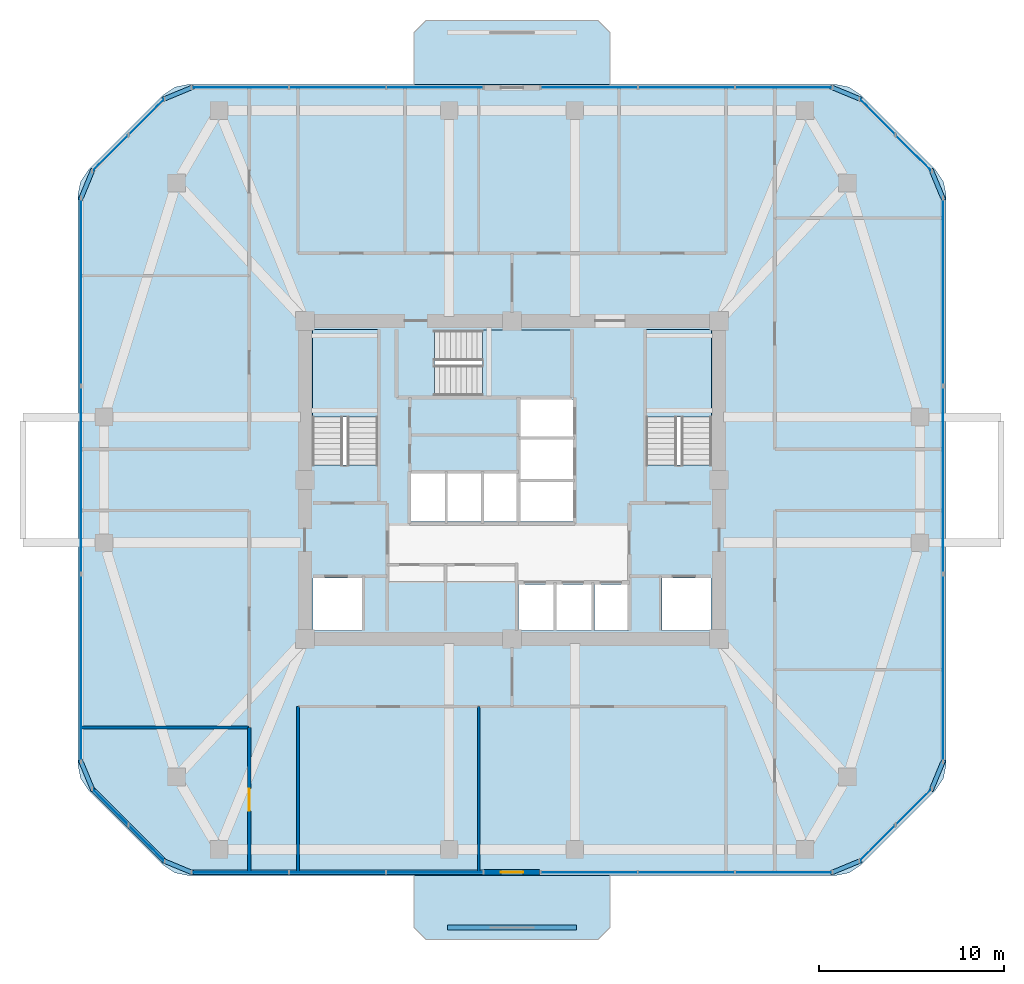
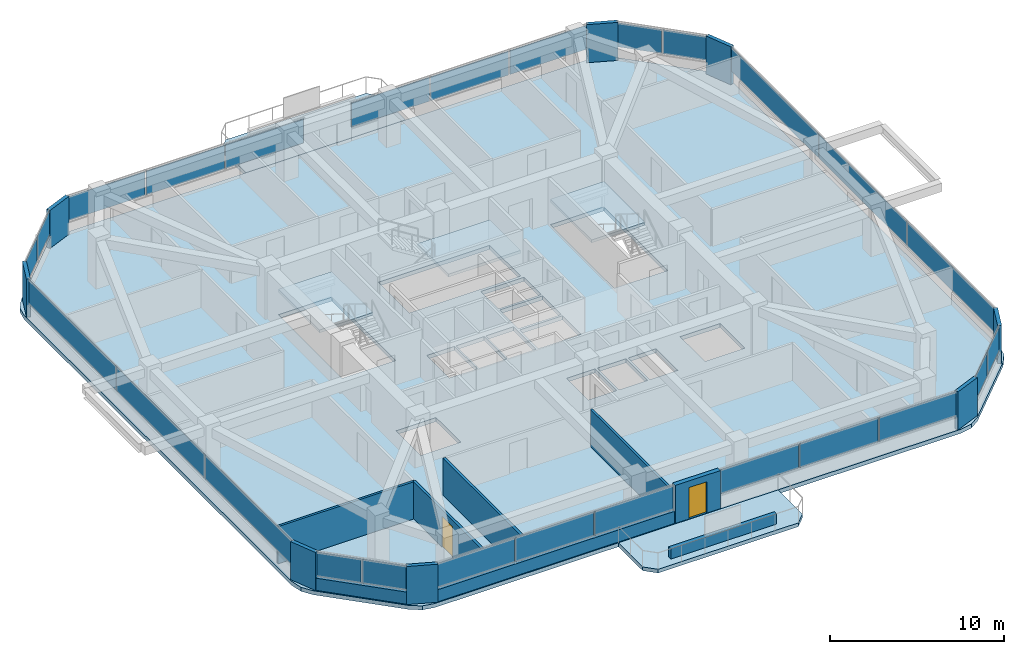
# One storey, part 6 of 11: 34 plates, 8 walls, 6 slabs, 2 doors, 2 openings, 13 elements without a shape of their own.
"""IFC4 building model written with IfcOpenShell, lengths in metres."""

from ifc_helpers import new_model, si_unit, derived_unit, direction, frame, frame_2d, origin, origin_2d, place, context, subcontext, project, spatial, polyline, rectangle, outline, extrude, material, layer, layer_set, type_object, element, fill, aggregate, save


model = new_model("IFC4")

# Units and contexts
model_context = context("Model", 3, precision=1e-05, world=origin(), true_north=direction((0.0, 1.0)))
body_context = subcontext(model_context, "Body", "Model", "MODEL_VIEW")
ifc_project = project(units=[si_unit("LENGTHUNIT", "METRE"), si_unit("AREAUNIT", "SQUARE_METRE"), si_unit("VOLUMEUNIT", "CUBIC_METRE"), si_unit("PLANEANGLEUNIT", "RADIAN"), si_unit("MASSUNIT", "GRAM", prefix="KILO"), derived_unit("THERMALTRANSMITTANCEUNIT", [(si_unit("POWERUNIT", "WATT"), 1), (si_unit("LENGTHUNIT", "METRE"), -2), (si_unit("THERMODYNAMICTEMPERATUREUNIT", "KELVIN"), -1)])], contexts=[model_context])

# Site, building, storey
site_placement = place(None, origin())
site = spatial("IfcSite", under=ifc_project, at=site_placement, CompositionType="ELEMENT")
building_placement = place(site_placement, origin())
building = spatial("IfcBuilding", under=site, at=building_placement, Name="Koralith Skygarden Medical Center", CompositionType="ELEMENT")
storey_placement = place(building_placement, frame((0.0, 0.0, 167.219970703125)))
storey = spatial("IfcBuildingStorey", under=building, at=storey_placement, Name="L43", CompositionType="ELEMENT", Elevation=167.219970703125)

# Curtain wall, plates
ifc_material_1 = material(Name="Clear Laminated Glass", Category="glass")
curtain_wall_type = type_object("IfcCurtainWallType", Name="CW-4 Zone 3 Waist High-Wind Curtain Wall", PredefinedType="NOTDEFINED", material=ifc_material_1)
curtain_wall_1_placement = place(storey_placement, origin())
curtain_wall_1 = element("IfcCurtainWall", 1, at=curtain_wall_1_placement, inside=storey, type_object=curtain_wall_type, Name="Curtain Wall CW-L43-S-L", PredefinedType="NOTDEFINED")
ifc_layer_1 = layer(ifc_material_1, 0.035888671875)
ifc_layer_set_1 = layer_set([ifc_layer_1], Name="Clear Laminated Glass")
plate_type_1 = type_object("IfcPlateType", Name="CW-4 Hurricane Laminated IGU Panel 36", PredefinedType="CURTAIN_PANEL", material=ifc_layer_set_1)
plate_1_placement = place(storey_placement, frame((22.302001953125, 4.679931640625, 0.919921875), z_axis=(0.0, 0.0, 1.0), x_axis=(1.0, 0.0, 0.0)))
plate_1 = element("IfcPlate", 2, at=plate_1_placement, type_object=plate_type_1, Name="CW-L43-S-L Glazed Panel 1", PredefinedType="CURTAIN_PANEL", context=body_context, shape_type="SweptSolid", body=[
    extrude(rectangle(XDim=5.173095703125, YDim=0.035888671875, at=origin_2d()), origin(), (0.0, 0.0, 1.0), 1.679931640625),
])
plate_2_placement = place(storey_placement, frame((27.56494140625, 4.679931640625, 0.919921875), z_axis=(0.0, 0.0, 1.0), x_axis=(1.0, 0.0, 0.0)))
plate_2 = element("IfcPlate", 3, at=plate_2_placement, type_object=plate_type_1, Name="CW-L43-S-L Glazed Panel 2", PredefinedType="CURTAIN_PANEL", context=body_context, shape_type="SweptSolid", body=[
    extrude(rectangle(XDim=5.173095703125, YDim=0.035888671875, at=origin_2d()), origin(), (0.0, 0.0, 1.0), 1.679931640625),
])
plate_3_placement = place(storey_placement, frame((32.827880859375, 4.679931640625, 0.919921875), z_axis=(0.0, 0.0, 1.0), x_axis=(1.0, 0.0, 0.0)))
plate_3 = element("IfcPlate", 4, at=plate_3_placement, type_object=plate_type_1, Name="CW-L43-S-L Glazed Panel 3", PredefinedType="CURTAIN_PANEL", context=body_context, shape_type="SweptSolid", body=[
    extrude(rectangle(XDim=5.173095703125, YDim=0.035888671875, at=origin_2d()), origin(), (0.0, 0.0, 1.0), 1.679931640625),
])
aggregate(curtain_wall_1, [plate_1, plate_2, plate_3])

curtain_wall_2_placement = place(storey_placement, origin())
curtain_wall_2 = element("IfcCurtainWall", 5, at=curtain_wall_2_placement, inside=storey, type_object=curtain_wall_type, Name="Curtain Wall CW-L43-S-R", PredefinedType="NOTDEFINED")
plate_4_placement = place(storey_placement, frame((41.1708984375, 4.679931640625, 0.919921875), z_axis=(0.0, 0.0, 1.0), x_axis=(1.0, 0.0, 0.0)))
plate_4 = element("IfcPlate", 6, at=plate_4_placement, type_object=plate_type_1, Name="CW-L43-S-R Glazed Panel 1", PredefinedType="CURTAIN_PANEL", context=body_context, shape_type="SweptSolid", body=[
    extrude(rectangle(XDim=5.173095703125, YDim=0.035888671875, at=origin_2d()), origin(), (0.0, 0.0, 1.0), 1.679931640625),
])
plate_5_placement = place(storey_placement, frame((46.43408203125, 4.679931640625, 0.919921875), z_axis=(0.0, 0.0, 1.0), x_axis=(1.0, 0.0, 0.0)))
plate_5 = element("IfcPlate", 7, at=plate_5_placement, type_object=plate_type_1, Name="CW-L43-S-R Glazed Panel 2", PredefinedType="CURTAIN_PANEL", context=body_context, shape_type="SweptSolid", body=[
    extrude(rectangle(XDim=5.173095703125, YDim=0.035888671875, at=origin_2d()), origin(), (0.0, 0.0, 1.0), 1.679931640625),
])
plate_6_placement = place(storey_placement, frame((51.697021484375, 4.679931640625, 0.919921875), z_axis=(0.0, 0.0, 1.0), x_axis=(1.0, 0.0, 0.0)))
plate_6 = element("IfcPlate", 8, at=plate_6_placement, type_object=plate_type_1, Name="CW-L43-S-R Glazed Panel 3", PredefinedType="CURTAIN_PANEL", context=body_context, shape_type="SweptSolid", body=[
    extrude(rectangle(XDim=5.173095703125, YDim=0.035888671875, at=origin_2d()), origin(), (0.0, 0.0, 1.0), 1.679931640625),
])
aggregate(curtain_wall_2, [plate_4, plate_5, plate_6])

curtain_wall_3_placement = place(storey_placement, origin())
curtain_wall_3 = element("IfcCurtainWall", 9, at=curtain_wall_3_placement, inside=storey, type_object=curtain_wall_type, Name="Curtain Wall CW-L43-SE", PredefinedType="NOTDEFINED")
plate_7_placement = place(storey_placement, frame((56.760986328125, 6.261962890625, 0.919921875), z_axis=(0.0, 0.0, 1.0), x_axis=(0.707106781187, 0.707106781187, 0.0)))
plate_7 = element("IfcPlate", 10, at=plate_7_placement, type_object=plate_type_1, Name="CW-L43-SE Glazed Panel 1", PredefinedType="CURTAIN_PANEL", context=body_context, shape_type="SweptSolid", body=[
    extrude(rectangle(XDim=2.68408203125, YDim=0.035888671875, at=origin_2d()), origin(), (0.0, 0.0, 1.0), 1.679931640625),
])
plate_8_placement = place(storey_placement, frame((58.721923828125, 8.222900390625, 0.919921875), z_axis=(0.0, 0.0, 1.0), x_axis=(0.707106781187, 0.707106781187, 0.0)))
plate_8 = element("IfcPlate", 11, at=plate_8_placement, type_object=plate_type_1, Name="CW-L43-SE Glazed Panel 2", PredefinedType="CURTAIN_PANEL", context=body_context, shape_type="SweptSolid", body=[
    extrude(rectangle(XDim=2.68408203125, YDim=0.035888671875, at=origin_2d()), origin(), (0.0, 0.0, 1.0), 1.679931640625),
])
aggregate(curtain_wall_3, [plate_7, plate_8])

curtain_wall_4_placement = place(storey_placement, origin())
curtain_wall_4 = element("IfcCurtainWall", 12, at=curtain_wall_4_placement, inside=storey, type_object=curtain_wall_type, Name="Curtain Wall CW-L43-E", PredefinedType="NOTDEFINED")
plate_9_placement = place(storey_placement, frame((60.303955078125, 15.737060546875, 0.919921875), z_axis=(0.0, 0.0, 1.0), x_axis=(0.0, 1.0, 0.0)))
plate_9 = element("IfcPlate", 13, at=plate_9_placement, type_object=plate_type_1, Name="CW-L43-E Glazed Panel 1", PredefinedType="CURTAIN_PANEL", context=body_context, shape_type="SweptSolid", body=[
    extrude(rectangle(XDim=10.072998046875, YDim=0.035888671875, at=origin_2d()), origin(), (0.0, 0.0, 1.0), 1.679931640625),
])
plate_10_placement = place(storey_placement, frame((60.303955078125, 25.89990234375, 0.919921875), z_axis=(0.0, 0.0, 1.0), x_axis=(0.0, 1.0, 0.0)))
plate_10 = element("IfcPlate", 14, at=plate_10_placement, type_object=plate_type_1, Name="CW-L43-E Glazed Panel 2", PredefinedType="CURTAIN_PANEL", context=body_context, shape_type="SweptSolid", body=[
    extrude(rectangle(XDim=10.072998046875, YDim=0.035888671875, at=origin_2d()), origin(), (0.0, 0.0, 1.0), 1.679931640625),
])
plate_11_placement = place(storey_placement, frame((60.303955078125, 36.06298828125, 0.919921875), z_axis=(0.0, 0.0, 1.0), x_axis=(0.0, 1.0, 0.0)))
plate_11 = element("IfcPlate", 15, at=plate_11_placement, type_object=plate_type_1, Name="CW-L43-E Glazed Panel 3", PredefinedType="CURTAIN_PANEL", context=body_context, shape_type="SweptSolid", body=[
    extrude(rectangle(XDim=10.072998046875, YDim=0.035888671875, at=origin_2d()), origin(), (0.0, 0.0, 1.0), 1.679931640625),
])
aggregate(curtain_wall_4, [plate_9, plate_10, plate_11])

curtain_wall_5_placement = place(storey_placement, origin())
curtain_wall_5 = element("IfcCurtainWall", 16, at=curtain_wall_5_placement, inside=storey, type_object=curtain_wall_type, Name="Curtain Wall CW-L43-NE", PredefinedType="NOTDEFINED")
plate_12_placement = place(storey_placement, frame((58.721923828125, 43.576904296875, 0.919921875), z_axis=(0.0, 0.0, 1.0), x_axis=(-0.707106781187, 0.707106781187, 0.0)))
plate_12 = element("IfcPlate", 17, at=plate_12_placement, type_object=plate_type_1, Name="CW-L43-NE Glazed Panel 1", PredefinedType="CURTAIN_PANEL", context=body_context, shape_type="SweptSolid", body=[
    extrude(rectangle(XDim=2.68408203125, YDim=0.035888671875, at=origin_2d()), origin(), (0.0, 0.0, 1.0), 1.679931640625),
])
plate_13_placement = place(storey_placement, frame((56.760986328125, 45.5380859375, 0.919921875), z_axis=(0.0, 0.0, 1.0), x_axis=(-0.707106781187, 0.707106781187, 0.0)))
plate_13 = element("IfcPlate", 18, at=plate_13_placement, type_object=plate_type_1, Name="CW-L43-NE Glazed Panel 2", PredefinedType="CURTAIN_PANEL", context=body_context, shape_type="SweptSolid", body=[
    extrude(rectangle(XDim=2.68408203125, YDim=0.035888671875, at=origin_2d()), origin(), (0.0, 0.0, 1.0), 1.679931640625),
])
aggregate(curtain_wall_5, [plate_12, plate_13])

curtain_wall_6_placement = place(storey_placement, origin())
curtain_wall_6 = element("IfcCurtainWall", 19, at=curtain_wall_6_placement, inside=storey, type_object=curtain_wall_type, Name="Curtain Wall CW-L43-N-L", PredefinedType="NOTDEFINED")
plate_14_placement = place(storey_placement, frame((51.697998046875, 47.1201171875, 0.919921875), z_axis=(0.0, 0.0, 1.0), x_axis=(-1.0, 0.0, 0.0)))
plate_14 = element("IfcPlate", 20, at=plate_14_placement, type_object=plate_type_1, Name="CW-L43-N-L Glazed Panel 1", PredefinedType="CURTAIN_PANEL", context=body_context, shape_type="SweptSolid", body=[
    extrude(rectangle(XDim=5.173095703125, YDim=0.035888671875, at=origin_2d()), origin(), (0.0, 0.0, 1.0), 1.679931640625),
])
plate_15_placement = place(storey_placement, frame((46.43505859375, 47.1201171875, 0.919921875), z_axis=(0.0, 0.0, 1.0), x_axis=(-1.0, 0.0, 0.0)))
plate_15 = element("IfcPlate", 21, at=plate_15_placement, type_object=plate_type_1, Name="CW-L43-N-L Glazed Panel 2", PredefinedType="CURTAIN_PANEL", context=body_context, shape_type="SweptSolid", body=[
    extrude(rectangle(XDim=5.173095703125, YDim=0.035888671875, at=origin_2d()), origin(), (0.0, 0.0, 1.0), 1.679931640625),
])
plate_16_placement = place(storey_placement, frame((41.172119140625, 47.1201171875, 0.919921875), z_axis=(0.0, 0.0, 1.0), x_axis=(-1.0, 0.0, 0.0)))
plate_16 = element("IfcPlate", 22, at=plate_16_placement, type_object=plate_type_1, Name="CW-L43-N-L Glazed Panel 3", PredefinedType="CURTAIN_PANEL", context=body_context, shape_type="SweptSolid", body=[
    extrude(rectangle(XDim=5.173095703125, YDim=0.035888671875, at=origin_2d()), origin(), (0.0, 0.0, 1.0), 1.679931640625),
])
aggregate(curtain_wall_6, [plate_14, plate_15, plate_16])

curtain_wall_7_placement = place(storey_placement, origin())
curtain_wall_7 = element("IfcCurtainWall", 23, at=curtain_wall_7_placement, inside=storey, type_object=curtain_wall_type, Name="Curtain Wall CW-L43-N-R", PredefinedType="NOTDEFINED")
plate_17_placement = place(storey_placement, frame((32.8291015625, 47.1201171875, 0.919921875), z_axis=(0.0, 0.0, 1.0), x_axis=(-1.0, 0.0, 0.0)))
plate_17 = element("IfcPlate", 24, at=plate_17_placement, type_object=plate_type_1, Name="CW-L43-N-R Glazed Panel 1", PredefinedType="CURTAIN_PANEL", context=body_context, shape_type="SweptSolid", body=[
    extrude(rectangle(XDim=5.173095703125, YDim=0.035888671875, at=origin_2d()), origin(), (0.0, 0.0, 1.0), 1.679931640625),
])
plate_18_placement = place(storey_placement, frame((27.56591796875, 47.1201171875, 0.919921875), z_axis=(0.0, 0.0, 1.0), x_axis=(-1.0, 0.0, 0.0)))
plate_18 = element("IfcPlate", 25, at=plate_18_placement, type_object=plate_type_1, Name="CW-L43-N-R Glazed Panel 2", PredefinedType="CURTAIN_PANEL", context=body_context, shape_type="SweptSolid", body=[
    extrude(rectangle(XDim=5.173095703125, YDim=0.035888671875, at=origin_2d()), origin(), (0.0, 0.0, 1.0), 1.679931640625),
])
plate_19_placement = place(storey_placement, frame((22.302978515625, 47.1201171875, 0.919921875), z_axis=(0.0, 0.0, 1.0), x_axis=(-1.0, 0.0, 0.0)))
plate_19 = element("IfcPlate", 26, at=plate_19_placement, type_object=plate_type_1, Name="CW-L43-N-R Glazed Panel 3", PredefinedType="CURTAIN_PANEL", context=body_context, shape_type="SweptSolid", body=[
    extrude(rectangle(XDim=5.173095703125, YDim=0.035888671875, at=origin_2d()), origin(), (0.0, 0.0, 1.0), 1.679931640625),
])
aggregate(curtain_wall_7, [plate_17, plate_18, plate_19])

curtain_wall_8_placement = place(storey_placement, origin())
curtain_wall_8 = element("IfcCurtainWall", 27, at=curtain_wall_8_placement, inside=storey, type_object=curtain_wall_type, Name="Curtain Wall CW-L43-NW", PredefinedType="NOTDEFINED")
plate_20_placement = place(storey_placement, frame((17.239013671875, 45.5380859375, 0.919921875), z_axis=(0.0, 0.0, 1.0), x_axis=(-0.707106781187, -0.707106781187, 0.0)))
plate_20 = element("IfcPlate", 28, at=plate_20_placement, type_object=plate_type_1, Name="CW-L43-NW Glazed Panel 1", PredefinedType="CURTAIN_PANEL", context=body_context, shape_type="SweptSolid", body=[
    extrude(rectangle(XDim=2.68408203125, YDim=0.035888671875, at=origin_2d()), origin(), (0.0, 0.0, 1.0), 1.679931640625),
])
plate_21_placement = place(storey_placement, frame((15.278076171875, 43.576904296875, 0.919921875), z_axis=(0.0, 0.0, 1.0), x_axis=(-0.707106781187, -0.707106781187, 0.0)))
plate_21 = element("IfcPlate", 29, at=plate_21_placement, type_object=plate_type_1, Name="CW-L43-NW Glazed Panel 2", PredefinedType="CURTAIN_PANEL", context=body_context, shape_type="SweptSolid", body=[
    extrude(rectangle(XDim=2.68408203125, YDim=0.035888671875, at=origin_2d()), origin(), (0.0, 0.0, 1.0), 1.679931640625),
])
aggregate(curtain_wall_8, [plate_20, plate_21])

curtain_wall_9_placement = place(storey_placement, origin())
curtain_wall_9 = element("IfcCurtainWall", 30, at=curtain_wall_9_placement, inside=storey, type_object=curtain_wall_type, Name="Curtain Wall CW-L43-W", PredefinedType="NOTDEFINED")
plate_22_placement = place(storey_placement, frame((13.696044921875, 36.06298828125, 0.919921875), z_axis=(0.0, 0.0, 1.0), x_axis=(0.0, -1.0, 0.0)))
plate_22 = element("IfcPlate", 31, at=plate_22_placement, type_object=plate_type_1, Name="CW-L43-W Glazed Panel 1", PredefinedType="CURTAIN_PANEL", context=body_context, shape_type="SweptSolid", body=[
    extrude(rectangle(XDim=10.072998046875, YDim=0.035888671875, at=origin_2d()), origin(), (0.0, 0.0, 1.0), 1.679931640625),
])
plate_23_placement = place(storey_placement, frame((13.696044921875, 25.89990234375, 0.919921875), z_axis=(0.0, 0.0, 1.0), x_axis=(0.0, -1.0, 0.0)))
plate_23 = element("IfcPlate", 32, at=plate_23_placement, type_object=plate_type_1, Name="CW-L43-W Glazed Panel 2", PredefinedType="CURTAIN_PANEL", context=body_context, shape_type="SweptSolid", body=[
    extrude(rectangle(XDim=10.072998046875, YDim=0.035888671875, at=origin_2d()), origin(), (0.0, 0.0, 1.0), 1.679931640625),
])
plate_24_placement = place(storey_placement, frame((13.696044921875, 15.737060546875, 0.919921875), z_axis=(0.0, 0.0, 1.0), x_axis=(0.0, -1.0, 0.0)))
plate_24 = element("IfcPlate", 33, at=plate_24_placement, type_object=plate_type_1, Name="CW-L43-W Glazed Panel 3", PredefinedType="CURTAIN_PANEL", context=body_context, shape_type="SweptSolid", body=[
    extrude(rectangle(XDim=10.072998046875, YDim=0.035888671875, at=origin_2d()), origin(), (0.0, 0.0, 1.0), 1.679931640625),
])
aggregate(curtain_wall_9, [plate_22, plate_23, plate_24])

curtain_wall_10_placement = place(storey_placement, origin())
curtain_wall_10 = element("IfcCurtainWall", 34, at=curtain_wall_10_placement, inside=storey, type_object=curtain_wall_type, Name="Curtain Wall CW-L43-SW", PredefinedType="NOTDEFINED")
plate_25_placement = place(storey_placement, frame((15.278076171875, 8.222900390625, 0.919921875), z_axis=(0.0, 0.0, 1.0), x_axis=(0.707106781187, -0.707106781187, 0.0)))
plate_25 = element("IfcPlate", 35, at=plate_25_placement, type_object=plate_type_1, Name="CW-L43-SW Glazed Panel 1", PredefinedType="CURTAIN_PANEL", context=body_context, shape_type="SweptSolid", body=[
    extrude(rectangle(XDim=2.68408203125, YDim=0.035888671875, at=origin_2d()), origin(), (0.0, 0.0, 1.0), 1.679931640625),
])
plate_26_placement = place(storey_placement, frame((17.239013671875, 6.261962890625, 0.919921875), z_axis=(0.0, 0.0, 1.0), x_axis=(0.707106781187, -0.707106781187, 0.0)))
plate_26 = element("IfcPlate", 36, at=plate_26_placement, type_object=plate_type_1, Name="CW-L43-SW Glazed Panel 2", PredefinedType="CURTAIN_PANEL", context=body_context, shape_type="SweptSolid", body=[
    extrude(rectangle(XDim=2.68408203125, YDim=0.035888671875, at=origin_2d()), origin(), (0.0, 0.0, 1.0), 1.679931640625),
])
aggregate(curtain_wall_10, [plate_25, plate_26])

# Slabs
ifc_material_2 = material(Name="Concrete C45/55", Category="concrete")
ifc_layer_2 = layer(ifc_material_2, 0.260009765625)
ifc_layer_set_2 = layer_set([ifc_layer_2], Name="Concrete C45/55")
slab_type_1 = type_object("IfcSlabType", Name="Cantilevered Planted Balcony Slab 260", PredefinedType="FLOOR", material=ifc_layer_set_2)
slab_1_placement = place(storey_placement, frame((0.0, 0.0, -0.260009765625)))
element("IfcSlab", 37, at=slab_1_placement, inside=storey, type_object=slab_type_1, Name="L43 N Planted Sky-Garden Balcony Slab", PredefinedType="FLOOR", context=body_context, shape_type="SweptSolid", body=[
    extrude(outline(polyline([(31.699951171875, 47.300048828125), (42.300048828125, 47.300048828125), (42.300048828125, 50.10009765625), (41.64990234375, 50.75), (32.35009765625, 50.75), (31.699951171875, 50.10009765625), (31.699951171875, 47.300048828125)])), origin(), (0.0, 0.0, 1.0), 0.260009765625),
])
slab_2_placement = place(storey_placement, frame((0.0, 0.0, -0.260009765625)))
element("IfcSlab", 38, at=slab_2_placement, inside=storey, type_object=slab_type_1, Name="L43 S Planted Sky-Garden Balcony Slab", PredefinedType="FLOOR", context=body_context, shape_type="SweptSolid", body=[
    extrude(outline(polyline([(32.35009765625, 1.050048828125), (41.64990234375, 1.050048828125), (42.300048828125, 1.699951171875), (42.300048828125, 4.5), (31.699951171875, 4.5), (31.699951171875, 1.699951171875), (32.35009765625, 1.050048828125)])), origin(), (0.0, 0.0, 1.0), 0.260009765625),
])

# Stair, slab
stair_type = type_object("IfcStairType", Name="Core Exit Dogleg Concrete Stair", PredefinedType="HALF_TURN_STAIR", material=ifc_material_2)
stair_1_placement = place(storey_placement, origin())
stair_1 = element("IfcStair", 39, at=stair_1_placement, inside=storey, type_object=stair_type, Name="L43 Smokeproof Exit Stair ST1", PredefinedType="HALF_TURN_STAIR")
ifc_layer_3 = layer(ifc_material_2, 0.199951171875)
ifc_layer_set_3 = layer_set([ifc_layer_3], Name="Concrete C45/55")
slab_type_2 = type_object("IfcSlabType", Name="Core Exit Concrete Stair Landing 200", PredefinedType="LANDING", material=ifc_layer_set_3)
slab_3_placement = place(storey_placement, frame((0.0, 0.0, 1.60009765625)))
slab_3 = element("IfcSlab", 40, at=slab_3_placement, type_object=slab_type_2, Name="ST1 landing 1", PredefinedType="LANDING", context=body_context, shape_type="SweptSolid", body=[
    extrude(outline(polyline([(29.75, 29.31005859375), (29.75, 34.050048828125), (26.199951171875, 34.050048828125), (26.199951171875, 29.31005859375), (29.75, 29.31005859375)])), origin(), (0.0, 0.0, 1.0), 0.199951171875),
])
aggregate(stair_1, [slab_3])

stair_2_placement = place(storey_placement, origin())
stair_2 = element("IfcStair", 41, at=stair_2_placement, inside=storey, type_object=stair_type, Name="L43 Smokeproof Exit Stair ST2", PredefinedType="HALF_TURN_STAIR")
slab_4_placement = place(storey_placement, frame((0.0, 0.0, 1.60009765625)))
slab_4 = element("IfcSlab", 42, at=slab_4_placement, type_object=slab_type_2, Name="ST2 landing 1", PredefinedType="LANDING", context=body_context, shape_type="SweptSolid", body=[
    extrude(outline(polyline([(47.800048828125, 29.31005859375), (47.800048828125, 34.050048828125), (44.25, 34.050048828125), (44.25, 29.31005859375), (47.800048828125, 29.31005859375)])), origin(), (0.0, 0.0, 1.0), 0.199951171875),
])
aggregate(stair_2, [slab_4])

stair_3_placement = place(storey_placement, origin())
stair_3 = element("IfcStair", 43, at=stair_3_placement, inside=storey, type_object=stair_type, Name="L43 Smokeproof Exit Stair ST3", PredefinedType="HALF_TURN_STAIR")
slab_5_placement = place(storey_placement, frame((0.0, 0.0, 1.60009765625)))
slab_5 = element("IfcSlab", 44, at=slab_5_placement, type_object=slab_type_2, Name="ST3 landing 1", PredefinedType="LANDING", context=body_context, shape_type="SweptSolid", body=[
    extrude(outline(polyline([(35.409912109375, 30.449951171875), (40.199951171875, 30.449951171875), (40.199951171875, 34.0), (35.409912109375, 34.0), (35.409912109375, 30.449951171875)])), origin(), (0.0, 0.0, 1.0), 0.199951171875),
])
aggregate(stair_3, [slab_5])

# Slab
ifc_layer_4 = layer(ifc_material_2, 0.280029296875)
ifc_layer_set_4 = layer_set([ifc_layer_4], Name="Concrete C45/55")
slab_type_3 = type_object("IfcSlabType", Name="Post-Tensioned Ward Floor Plate 280", PredefinedType="FLOOR", material=ifc_layer_set_4)
slab_6_placement = place(storey_placement, frame((0.0, 0.0, -0.280029296875)))
element("IfcSlab", 45, at=slab_6_placement, inside=storey, type_object=slab_type_3, Name="Level L43 Structural Floor Slab", PredefinedType="FLOOR", context=body_context, shape_type="SweptSolid", body=[
    extrude(outline(polyline([(18.1298828125, 5.0859375), (18.779052734375, 4.652099609375), (19.5439453125, 4.5), (54.4560546875, 4.5), (55.220947265625, 4.652099609375), (55.8701171875, 5.0859375), (59.89794921875, 9.114013671875), (60.33203125, 9.762939453125), (60.48388671875, 10.528076171875), (60.48388671875, 41.27197265625), (60.33203125, 42.037109375), (59.89794921875, 42.68603515625), (55.8701171875, 46.714111328125), (55.220947265625, 47.14794921875), (54.4560546875, 47.300048828125), (19.5439453125, 47.300048828125), (18.779052734375, 47.14794921875), (18.1298828125, 46.714111328125), (14.10205078125, 42.68603515625), (13.66796875, 42.037109375), (13.51611328125, 41.27197265625), (13.51611328125, 10.528076171875), (13.66796875, 9.762939453125), (14.10205078125, 9.114013671875), (18.1298828125, 5.0859375)]), holes=[polyline([(26.199951171875, 26.705078125), (29.75, 26.705078125), (29.75, 34.050048828125), (26.199951171875, 34.050048828125), (26.199951171875, 26.705078125)]), polyline([(44.25, 26.705078125), (47.800048828125, 26.705078125), (47.800048828125, 34.050048828125), (44.25, 34.050048828125), (44.25, 26.705078125)]), polyline([(32.804931640625, 30.449951171875), (40.199951171875, 30.449951171875), (40.199951171875, 34.0), (32.804931640625, 34.0), (32.804931640625, 30.449951171875)]), polyline([(26.25, 17.75), (28.89990234375, 17.75), (28.89990234375, 20.60009765625), (26.25, 20.60009765625), (26.25, 17.75)]), polyline([(45.10009765625, 17.75), (47.75, 17.75), (47.75, 20.60009765625), (45.10009765625, 20.60009765625), (45.10009765625, 17.75)]), polyline([(37.35009765625, 17.75), (39.25, 17.75), (39.25, 20.25), (37.35009765625, 20.25), (37.35009765625, 17.75)]), polyline([(39.39990234375, 17.75), (41.300048828125, 17.75), (41.300048828125, 20.25), (39.39990234375, 20.25), (39.39990234375, 17.75)]), polyline([(41.449951171875, 17.75), (43.300048828125, 17.75), (43.300048828125, 20.25), (41.449951171875, 20.25), (41.449951171875, 17.75)]), polyline([(31.550048828125, 23.64990234375), (33.39990234375, 23.64990234375), (33.39990234375, 26.25), (31.550048828125, 26.25), (31.550048828125, 23.64990234375)]), polyline([(33.5, 23.64990234375), (35.35009765625, 23.64990234375), (35.35009765625, 26.25), (33.5, 26.25), (33.5, 23.64990234375)]), polyline([(35.449951171875, 23.64990234375), (37.300048828125, 23.64990234375), (37.300048828125, 26.25), (35.449951171875, 26.25), (35.449951171875, 23.64990234375)]), polyline([(37.449951171875, 23.64990234375), (40.300048828125, 23.64990234375), (40.300048828125, 25.800048828125), (37.449951171875, 25.800048828125), (37.449951171875, 23.64990234375)]), polyline([(37.449951171875, 25.949951171875), (40.300048828125, 25.949951171875), (40.300048828125, 28.10009765625), (37.449951171875, 28.10009765625), (37.449951171875, 25.949951171875)]), polyline([(37.449951171875, 28.25), (40.300048828125, 28.25), (40.300048828125, 30.25), (37.449951171875, 30.25), (37.449951171875, 28.25)])]), origin(), (0.0, 0.0, 1.0), 0.280029296875),
])

# Plates
ifc_material_3 = material(Name="Warm Oolitic Limestone Cladding", Category="masonry")
ifc_layer_5 = layer(ifc_material_3, 0.239990234375)
ifc_layer_set_5 = layer_set([ifc_layer_5], Name="Warm Oolitic Limestone Cladding")
plate_type_2 = type_object("IfcPlateType", Name="Rounded-Corner Oolitic Limestone Cladding Panel 240", PredefinedType="USERDEFINED", material=ifc_layer_set_5)
for number, where, z_axis, x_axis, name in (
    (46, (55.054931640625, 4.97998046875, 0.0), (0.0, 0.0, 1.0), (0.92388487569, 0.382670532536, 0.0), "L43 Rounded-Corner Limestone Pier 1"),
    (47, (60.00390625, 9.929931640625, 0.0), (0.0, 0.0, 1.0), (0.382670532536, 0.92388487569, 0.0), "L43 Rounded-Corner Limestone Pier 2"),
    (48, (60.00390625, 41.8701171875, 0.0), (0.0, 0.0, 1.0), (-0.382670532536, 0.92388487569, 0.0), "L43 Rounded-Corner Limestone Pier 3"),
    (49, (55.054931640625, 46.819091796875, 0.0), (0.0, 0.0, 1.0), (-0.92388487569, 0.382670532536, 0.0), "L43 Rounded-Corner Limestone Pier 4"),
    (50, (18.945068359375, 46.819091796875, 0.0), (0.0, 0.0, 1.0), (-0.92388487569, -0.382670532536, 0.0), "L43 Rounded-Corner Limestone Pier 5"),
    (51, (13.9970703125, 41.8701171875, 0.0), (0.0, 0.0, 1.0), (-0.382670532536, -0.92388487569, 0.0), "L43 Rounded-Corner Limestone Pier 6"),
    (52, (13.9970703125, 9.929931640625, 0.0), (0.0, 0.0, 1.0), (0.382670532536, -0.92388487569, 0.0), "L43 Rounded-Corner Limestone Pier 7"),
    (53, (18.945068359375, 4.97998046875, 0.0), (0.0, 0.0, 1.0), (0.92388487569, -0.382670532536, 0.0), "L43 Rounded-Corner Limestone Pier 8"),
):
    element("IfcPlate", number, at=place(storey_placement, frame(where, z_axis=z_axis, x_axis=x_axis)), inside=storey, type_object=plate_type_2, Name=name, ObjectType="LIMESTONE CLADDING", PredefinedType="USERDEFINED", context=body_context, shape_type="SweptSolid", body=[
        extrude(rectangle(XDim=1.81103515625, YDim=0.239990234375, at=origin_2d()), origin(), (0.0, 0.0, 1.0), 2.669921875),
    ])

# Walls
ifc_material_4 = material(Name="Gypsum Board Partition")
ifc_layer_6 = layer(ifc_material_4, 0.14990234375)
ifc_layer_set_6 = layer_set([ifc_layer_6], Name="Gypsum Board Partition")
wall_type_1 = type_object("IfcWallType", Name="Clinical Acoustic Partition 150", PredefinedType="PARTITIONING", material=ifc_layer_set_6)
wall_1_placement = place(storey_placement, frame((35.199951171875, 13.639892578125, 0.0), z_axis=(0.0, 0.0, 1.0), x_axis=(0.0, -1.0, 0.0)))
element("IfcWall", 54, at=wall_1_placement, inside=storey, type_object=wall_type_1, Name="L43 Clinical Acoustic Partition 150 W-PART-L43-S-01", PredefinedType="PARTITIONING", context=body_context, shape_type="SweptSolid", body=[
    extrude(rectangle(XDim=8.93994140625, YDim=0.14990234375, at=frame_2d((4.469970703125, 0.0))), origin(), (0.0, 0.0, 1.0), 2.610107421875),
])
wall_2_placement = place(storey_placement, frame((22.7900390625, 12.51611328125, 0.0), z_axis=(0.0, 0.0, 1.0), x_axis=(-1.0, 0.0, 0.0)))
element("IfcWall", 55, at=wall_2_placement, inside=storey, type_object=wall_type_1, Name="L43 Clinical Acoustic Partition 150 W-PART-L43-WS-01", PredefinedType="PARTITIONING", context=body_context, shape_type="SweptSolid", body=[
    extrude(rectangle(XDim=9.073974609375, YDim=0.14990234375, at=frame_2d((4.537109375, 0.0))), origin(), (0.0, 0.0, 1.0), 2.610107421875),
])
ifc_layer_7 = layer(ifc_material_4, 0.1650390625)
ifc_layer_set_7 = layer_set([ifc_layer_7], Name="Gypsum Board Partition")
wall_type_2 = type_object("IfcWallType", Name="Clinical Corridor Partition 165", PredefinedType="PARTITIONING", material=ifc_layer_set_7)
wall_3_placement = place(storey_placement, frame((25.429931640625, 4.699951171875, 0.0), z_axis=(0.0, 0.0, 1.0), x_axis=(0.0, 1.0, 0.0)))
element("IfcWall", 56, at=wall_3_placement, inside=storey, type_object=wall_type_2, Name="L43 Clinical Corridor Partition 165 W-HCOR-L43-SW", PredefinedType="PARTITIONING", context=body_context, shape_type="SweptSolid", body=[
    extrude(rectangle(XDim=8.93994140625, YDim=0.1650390625, at=frame_2d((4.469970703125, 0.0))), origin(), (0.0, 0.0, 1.0), 2.610107421875),
])

# Wall, opening, door
wall_4_placement = place(storey_placement, frame((22.7900390625, 4.699951171875, 0.0), z_axis=(0.0, 0.0, 1.0), x_axis=(0.0, 1.0, 0.0)))
wall_4 = element("IfcWall", 57, at=wall_4_placement, inside=storey, type_object=wall_type_2, Name="L43 Clinical Corridor Partition 165 W-CORR-L43-WS-01", PredefinedType="PARTITIONING", context=body_context, shape_type="SweptSolid", body=[
    extrude(rectangle(XDim=7.816162109375, YDim=0.1650390625, at=frame_2d((3.908203125, 0.0))), origin(), (0.0, 0.0, 1.0), 2.610107421875),
])
opening_1_placement = place(wall_4_placement, frame((3.30810546875, 0.0, 0.0)))
opening_1 = element("IfcOpeningElement", 58, at=opening_1_placement, cuts=wall_4, Name="Opening D-CLN", PredefinedType="OPENING", context=body_context, shape_type="SweptSolid", body=[
    extrude(rectangle(XDim=1.199951171875, YDim=2.14990234375, at=frame_2d((0.60009765625, 1.074951171875))), frame((0.0, 0.092529296875, 0.0), z_axis=(0.0, -1.0, 0.0), x_axis=(1.0, 0.0, 0.0)), (0.0, 0.0, 1.0), 0.18505859375),
])
ifc_material_5 = material(Name="Aluminium 6063-T6", Category="aluminium")
door_type_1 = type_object("IfcDoorType", Name="Clinical Corridor Door D-CLN 1200", OperationType="NOTDEFINED", PredefinedType="DOOR", material=ifc_material_5)
door_1_placement = place(opening_1_placement, frame((1.199951171875, 0.0, 0.0), z_axis=(0.0, 0.0, 1.0), x_axis=(-1.0, 0.0, 0.0)))
door_1 = element("IfcDoor", 59, at=door_1_placement, inside=storey, type_object=door_type_1, Name="L43 Neurological Gait Rehab Gym Hall 07 Door", OperationType="SINGLE_SWING_RIGHT", OverallHeight=2.14990234375, OverallWidth=1.199951171875, PredefinedType="DOOR", context=body_context, shape_type="SweptSolid", body=[
    extrude(rectangle(XDim=1.199951171875, YDim=2.14990234375, at=frame_2d((0.60009765625, 1.074951171875))), frame((0.0, 0.02490234375, 0.0), z_axis=(0.0, -1.0, 0.0), x_axis=(1.0, 0.0, 0.0)), (0.0, 0.0, 1.0), 0.050048828125),
])
fill(opening_1, door_1)

# Walls
ifc_layer_8 = layer(ifc_material_3, 0.239990234375)
ifc_layer_set_8 = layer_set([ifc_layer_8], Name="Warm Oolitic Limestone Cladding")
wall_type_3 = type_object("IfcWallType", Name="Limestone Spandrel Sill Backup Wall 240", PredefinedType="SOLIDWALL", material=ifc_layer_set_8)
wall_5_placement = place(storey_placement, frame((19.6708984375, 4.679931640625, 0.0), z_axis=(0.0, 0.0, 1.0), x_axis=(1.0, 0.0, 0.0)))
element("IfcWall", 60, at=wall_5_placement, inside=storey, type_object=wall_type_3, Name="L43 Sill Spandrel S-L", PredefinedType="SOLIDWALL", context=body_context, shape_type="SweptSolid", body=[
    extrude(rectangle(XDim=15.7880859375, YDim=0.239990234375, at=frame_2d((7.89404296875, 0.0))), origin(), (0.0, 0.0, 1.0), 0.85009765625),
])
wall_6_placement = place(storey_placement, frame((14.297119140625, 9.2041015625, 0.0), z_axis=(0.0, 0.0, 1.0), x_axis=(0.707084777957, -0.707128783731, 0.0)))
element("IfcWall", 61, at=wall_6_placement, inside=storey, type_object=wall_type_3, Name="L43 Sill Spandrel SW", PredefinedType="SOLIDWALL", context=body_context, shape_type="SweptSolid", body=[
    extrude(rectangle(XDim=5.5478515625, YDim=0.239990234375, at=frame_2d((2.77392578125, 0.0))), origin(), (0.0, 0.0, 1.0), 0.85009765625),
])

# Wall, opening, door
ifc_layer_9 = layer(ifc_material_3, 0.300048828125)
ifc_layer_set_9 = layer_set([ifc_layer_9], Name="Warm Oolitic Limestone Cladding")
wall_type_4 = type_object("IfcWallType", Name="Oolitic Limestone Insulated Facade Wall 300", PredefinedType="SOLIDWALL", material=ifc_layer_set_9)
wall_7_placement = place(storey_placement, frame((35.4990234375, 4.679931640625, 0.0), z_axis=(0.0, 0.0, 1.0), x_axis=(1.0, 0.0, 0.0)))
wall_7 = element("IfcWall", 62, at=wall_7_placement, inside=storey, type_object=wall_type_4, Name="L43 Terrace Portal Wall S", PredefinedType="SOLIDWALL", context=body_context, shape_type="SweptSolid", body=[
    extrude(rectangle(XDim=3.0, YDim=0.300048828125, at=frame_2d((1.5, 0.0))), origin(), (0.0, 0.0, 1.0), 2.669921875),
])
opening_2_placement = place(wall_7_placement, frame((0.89990234375, 0.0, 0.0)))
opening_2 = element("IfcOpeningElement", 63, at=opening_2_placement, cuts=wall_7, Name="Opening D-BAL", PredefinedType="OPENING", context=body_context, shape_type="SweptSolid", body=[
    extrude(rectangle(XDim=1.199951171875, YDim=2.199951171875, at=frame_2d((0.60009765625, 1.10009765625))), frame((0.0, 0.159912109375, 0.0), z_axis=(0.0, -1.0, 0.0), x_axis=(1.0, 0.0, 0.0)), (0.0, 0.0, 1.0), 0.320068359375),
])
door_type_2 = type_object("IfcDoorType", Name="Planted Balcony Glazed Terrace Door D-BAL 1200", OperationType="NOTDEFINED", PredefinedType="DOOR", material=ifc_material_5)
door_2_placement = place(opening_2_placement, origin())
door_2 = element("IfcDoor", 64, at=door_2_placement, inside=storey, type_object=door_type_2, Name="L43 S Outdoor Terrace Access Door", OperationType="SINGLE_SWING_RIGHT", OverallHeight=2.199951171875, OverallWidth=1.199951171875, PredefinedType="DOOR", context=body_context, shape_type="SweptSolid", body=[
    extrude(rectangle(XDim=1.199951171875, YDim=2.199951171875, at=frame_2d((0.60009765625, 1.10009765625))), frame((0.0, 0.02490234375, 0.0), z_axis=(0.0, -1.0, 0.0), x_axis=(1.0, 0.0, 0.0)), (0.0, 0.0, 1.0), 0.050048828125),
])
fill(opening_2, door_2)

# Wall
ifc_material_6 = material(Name="Precast concrete C40/50", Category="concrete")
ifc_layer_10 = layer(ifc_material_6, 0.25)
ifc_layer_set_10 = layer_set([ifc_layer_10], Name="Precast concrete C40/50")
wall_type_5 = type_object("IfcWallType", Name="Structural Concrete Balcony Planter Kerb 250", PredefinedType="PARAPET", material=ifc_layer_set_10)
wall_8_placement = place(storey_placement, frame((33.5, 1.699951171875, 0.0), z_axis=(0.0, 0.0, 1.0), x_axis=(1.0, 0.0, 0.0)))
element("IfcWall", 65, at=wall_8_placement, inside=storey, type_object=wall_type_5, Name="L43 S Structural Tree PLANTER Box", PredefinedType="PARAPET", context=body_context, shape_type="SweptSolid", body=[
    extrude(rectangle(XDim=7.0, YDim=0.25, at=frame_2d((3.5, 0.0))), origin(), (0.0, 0.0, 1.0), 0.719970703125),
])

save(model, "model.ifc")
